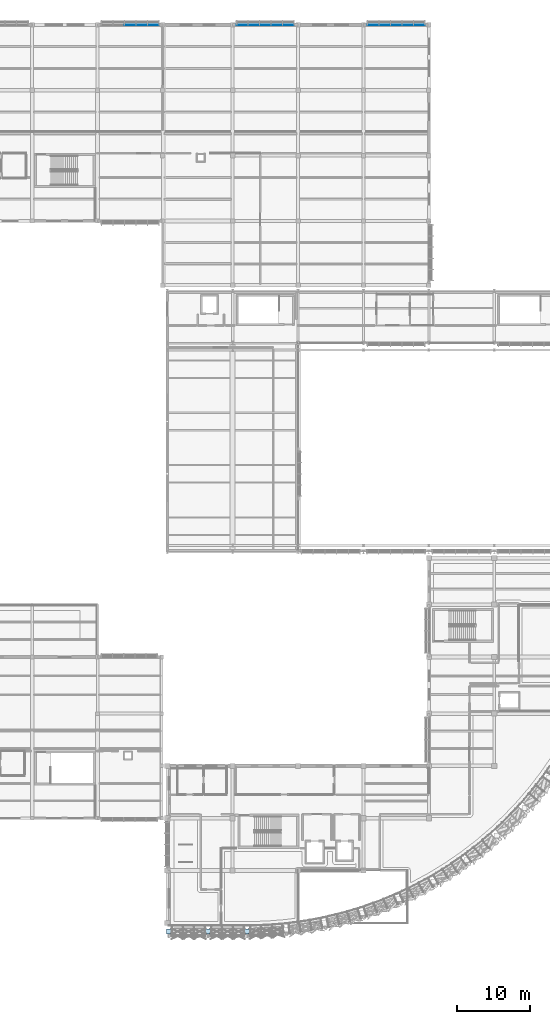
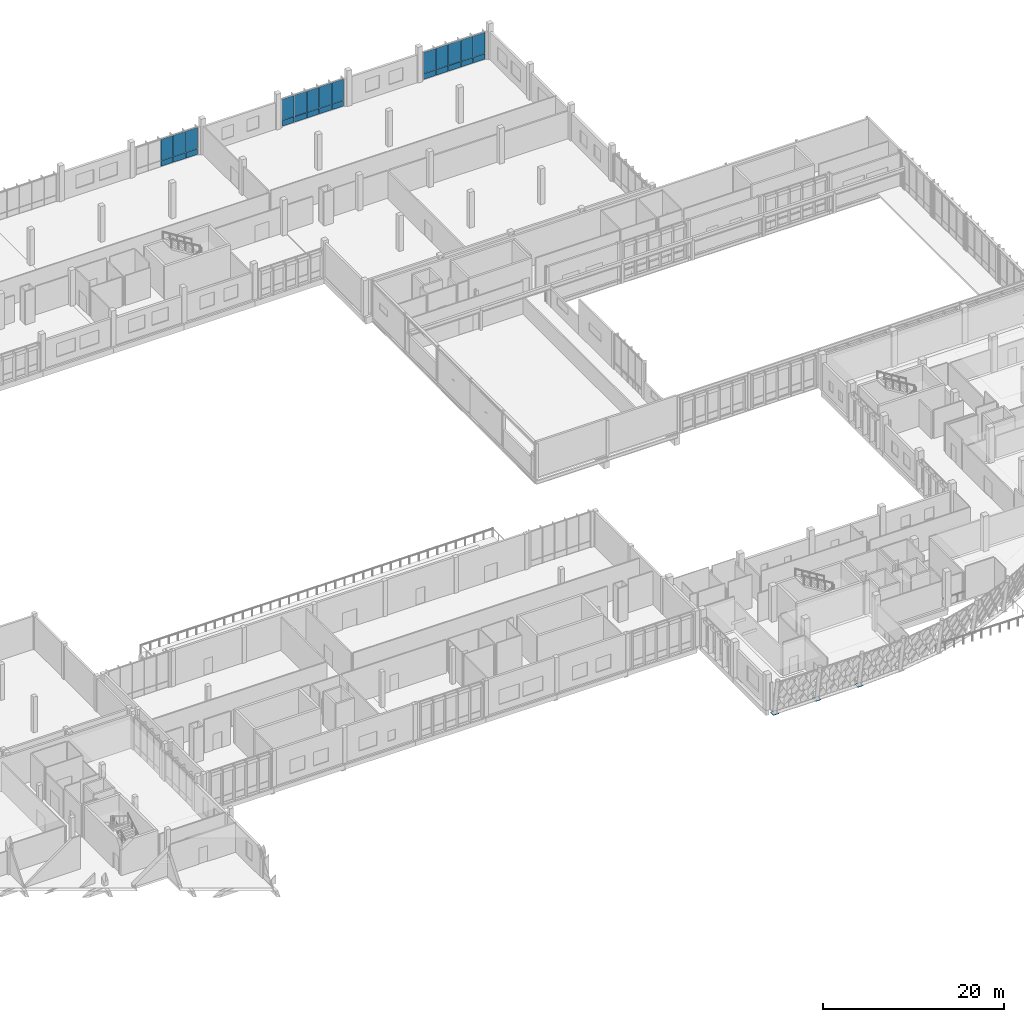
# One storey, part 144 of 177: 29 plates, 3 elements without a shape of their own.
"""IFC4 building model written with IfcOpenShell, lengths in metres."""

from ifc_helpers import new_model, si_unit, direction, frame, origin, origin_2d, place, context, subcontext, project, spatial, rectangle, extrude, material, layer, layer_set, type_object, element, aggregate, save


model = new_model("IFC4")

# Units and contexts
model_context = context("Model", 3, precision=1e-05, world=origin(), true_north=direction((0.0, 1.0)))
body_context = subcontext(model_context, "Body", "Model", "MODEL_VIEW")
ifc_project = project(units=[si_unit("LENGTHUNIT", "METRE"), si_unit("AREAUNIT", "SQUARE_METRE"), si_unit("VOLUMEUNIT", "CUBIC_METRE"), si_unit("PLANEANGLEUNIT", "RADIAN"), si_unit("MASSUNIT", "GRAM", prefix="KILO")], contexts=[model_context])

# Site, building, storey
site_placement = place(None, origin())
site = spatial("IfcSite", under=ifc_project, at=site_placement, CompositionType="ELEMENT")
building_placement = place(site_placement, origin())
building = spatial("IfcBuilding", under=site, at=building_placement, Name="Chiffa Square Polytechnic", CompositionType="ELEMENT")
storey_placement = place(building_placement, frame((0.0, 0.0, 4.800048828125)))
storey = spatial("IfcBuildingStorey", under=building, at=storey_placement, Name="L01", CompositionType="ELEMENT", Elevation=4.800048828125)

# Curtain wall, plates
ifc_material_1 = material(Name="Aluminium EN AW-6060 T66 and glulam shading", Category="wood")
curtain_wall_type_1 = type_object("IfcCurtainWallType", Name="CW-VERT-360X380", PredefinedType="USERDEFINED", material=ifc_material_1)
curtain_wall_1_placement = place(storey_placement, origin())
curtain_wall_1 = element("IfcCurtainWall", 1, at=curtain_wall_1_placement, inside=storey, type_object=curtain_wall_type_1, Name="Curtain wall CW-V5-L01-205", ObjectType="CURTAIN WALL", PredefinedType="USERDEFINED")
ifc_material_2 = material(Name="Double glazing", Category="glass")
ifc_layer_1 = layer(ifc_material_2, 0.0458984375, Name="Double glazing")
ifc_layer_set_1 = layer_set([ifc_layer_1], Name="Double glazing")
plate_type_1 = type_object("IfcPlateType", Name="CWP-GLZ-128X106", PredefinedType="CURTAIN_PANEL", material=ifc_layer_set_1)
plate_1_placement = place(storey_placement, frame((110.257080078125, 130.800048828125, 0.84033203125), z_axis=(0.0, 0.0, 1.0), x_axis=(-1.0, 0.0, 0.0)))
plate_1 = element("IfcPlate", 2, at=plate_1_placement, type_object=plate_type_1, Name="Glazed curtain panel CW-V5-L01-205-PN01", PredefinedType="CURTAIN_PANEL", context=body_context, shape_type="SweptSolid", body=[
    extrude(rectangle(XDim=1.510009765625, YDim=0.0458984375, at=origin_2d()), origin(), (0.0, 0.0, 1.0), 2.824951171875),
])
plate_2_placement = place(storey_placement, frame((108.68408203125, 130.800048828125, 0.84033203125), z_axis=(0.0, 0.0, 1.0), x_axis=(-1.0, 0.0, 0.0)))
plate_2 = element("IfcPlate", 3, at=plate_2_placement, type_object=plate_type_1, Name="Glazed curtain panel CW-V5-L01-205-PN02", PredefinedType="CURTAIN_PANEL", context=body_context, shape_type="SweptSolid", body=[
    extrude(rectangle(XDim=1.531982421875, YDim=0.0458984375, at=origin_2d()), origin(), (0.0, 0.0, 1.0), 2.824951171875),
])
plate_3_placement = place(storey_placement, frame((107.10009765625, 130.800048828125, 0.84033203125), z_axis=(0.0, 0.0, 1.0), x_axis=(-1.0, 0.0, 0.0)))
plate_3 = element("IfcPlate", 4, at=plate_3_placement, type_object=plate_type_1, Name="Glazed curtain panel CW-V5-L01-205-PN03", PredefinedType="CURTAIN_PANEL", context=body_context, shape_type="SweptSolid", body=[
    extrude(rectangle(XDim=1.531982421875, YDim=0.0458984375, at=origin_2d()), origin(), (0.0, 0.0, 1.0), 2.824951171875),
])

curtain_wall_type_2 = type_object("IfcCurtainWallType", Name="CW-VERT-600X380", PredefinedType="USERDEFINED", material=ifc_material_1)
curtain_wall_2_placement = place(storey_placement, origin())
curtain_wall_2 = element("IfcCurtainWall", 5, at=curtain_wall_2_placement, inside=storey, type_object=curtain_wall_type_2, Name="Curtain wall CW-V5-L01-204", ObjectType="CURTAIN WALL", PredefinedType="USERDEFINED")
ifc_layer_2 = layer(ifc_material_2, 0.0458984375, Name="Double glazing")
ifc_layer_set_2 = layer_set([ifc_layer_2], Name="Double glazing")
plate_type_2 = type_object("IfcPlateType", Name="CWP-GLZ-130X110", PredefinedType="CURTAIN_PANEL", material=ifc_layer_set_2)
plate_4_placement = place(storey_placement, frame((128.85693359375, 130.800048828125, 0.84033203125), z_axis=(0.0, 0.0, 1.0), x_axis=(-1.0, 0.0, 0.0)))
plate_4 = element("IfcPlate", 6, at=plate_4_placement, type_object=plate_type_2, Name="Glazed curtain panel CW-V5-L01-204-PN01", PredefinedType="CURTAIN_PANEL", context=body_context, shape_type="SweptSolid", body=[
    extrude(rectangle(XDim=1.510009765625, YDim=0.0458984375, at=origin_2d()), origin(), (0.0, 0.0, 1.0), 2.824951171875),
])
plate_5_placement = place(storey_placement, frame((127.283935546875, 130.800048828125, 0.84033203125), z_axis=(0.0, 0.0, 1.0), x_axis=(-1.0, 0.0, 0.0)))
plate_5 = element("IfcPlate", 7, at=plate_5_placement, type_object=plate_type_2, Name="Glazed curtain panel CW-V5-L01-204-PN02", PredefinedType="CURTAIN_PANEL", context=body_context, shape_type="SweptSolid", body=[
    extrude(rectangle(XDim=1.531982421875, YDim=0.0458984375, at=origin_2d()), origin(), (0.0, 0.0, 1.0), 2.824951171875),
])
plate_6_placement = place(storey_placement, frame((125.699951171875, 130.800048828125, 0.84033203125), z_axis=(0.0, 0.0, 1.0), x_axis=(-1.0, 0.0, 0.0)))
plate_6 = element("IfcPlate", 8, at=plate_6_placement, type_object=plate_type_2, Name="Glazed curtain panel CW-V5-L01-204-PN03", PredefinedType="CURTAIN_PANEL", context=body_context, shape_type="SweptSolid", body=[
    extrude(rectangle(XDim=1.531982421875, YDim=0.0458984375, at=origin_2d()), origin(), (0.0, 0.0, 1.0), 2.824951171875),
])
plate_7_placement = place(storey_placement, frame((124.115966796875, 130.800048828125, 0.84033203125), z_axis=(0.0, 0.0, 1.0), x_axis=(-1.0, 0.0, 0.0)))
plate_7 = element("IfcPlate", 9, at=plate_7_placement, type_object=plate_type_2, Name="Glazed curtain panel CW-V5-L01-204-PN04", PredefinedType="CURTAIN_PANEL", context=body_context, shape_type="SweptSolid", body=[
    extrude(rectangle(XDim=1.531982421875, YDim=0.0458984375, at=origin_2d()), origin(), (0.0, 0.0, 1.0), 2.824951171875),
])
plate_8_placement = place(storey_placement, frame((122.54296875, 130.800048828125, 0.84033203125), z_axis=(0.0, 0.0, 1.0), x_axis=(-1.0, 0.0, 0.0)))
plate_8 = element("IfcPlate", 10, at=plate_8_placement, type_object=plate_type_2, Name="Glazed curtain panel CW-V5-L01-204-PN05", PredefinedType="CURTAIN_PANEL", context=body_context, shape_type="SweptSolid", body=[
    extrude(rectangle(XDim=1.510009765625, YDim=0.0458984375, at=origin_2d()), origin(), (0.0, 0.0, 1.0), 2.824951171875),
])

curtain_wall_type_3 = type_object("IfcCurtainWallType", Name="CW-VERT-300X380", PredefinedType="USERDEFINED", material=ifc_material_1)
curtain_wall_3_placement = place(storey_placement, origin())
curtain_wall_3 = element("IfcCurtainWall", 11, at=curtain_wall_3_placement, inside=storey, type_object=curtain_wall_type_3, Name="Curtain wall CW-V5-L01-203", ObjectType="CURTAIN WALL", PredefinedType="USERDEFINED")
ifc_layer_3 = layer(ifc_material_2, 0.0439453125, Name="Double glazing")
ifc_layer_set_3 = layer_set([ifc_layer_3], Name="Double glazing")
plate_type_3 = type_object("IfcPlateType", Name="CWP-GLZ-132X114", PredefinedType="CURTAIN_PANEL", material=ifc_layer_set_3)
plate_9_placement = place(storey_placement, frame((146.85693359375, 130.800048828125, 0.84033203125), z_axis=(0.0, 0.0, 1.0), x_axis=(-1.0, 0.0, 0.0)))
plate_9 = element("IfcPlate", 12, at=plate_9_placement, type_object=plate_type_3, Name="Glazed curtain panel CW-V5-L01-203-PN01", PredefinedType="CURTAIN_PANEL", context=body_context, shape_type="SweptSolid", body=[
    extrude(rectangle(XDim=1.510009765625, YDim=0.0439453125, at=origin_2d()), origin(), (0.0, 0.0, 1.0), 2.824951171875),
])
plate_10_placement = place(storey_placement, frame((145.283935546875, 130.800048828125, 0.84033203125), z_axis=(0.0, 0.0, 1.0), x_axis=(-1.0, 0.0, 0.0)))
plate_10 = element("IfcPlate", 13, at=plate_10_placement, type_object=plate_type_3, Name="Glazed curtain panel CW-V5-L01-203-PN02", PredefinedType="CURTAIN_PANEL", context=body_context, shape_type="SweptSolid", body=[
    extrude(rectangle(XDim=1.531982421875, YDim=0.0439453125, at=origin_2d()), origin(), (0.0, 0.0, 1.0), 2.824951171875),
])
plate_11_placement = place(storey_placement, frame((143.699951171875, 130.800048828125, 0.84033203125), z_axis=(0.0, 0.0, 1.0), x_axis=(-1.0, 0.0, 0.0)))
plate_11 = element("IfcPlate", 14, at=plate_11_placement, type_object=plate_type_3, Name="Glazed curtain panel CW-V5-L01-203-PN03", PredefinedType="CURTAIN_PANEL", context=body_context, shape_type="SweptSolid", body=[
    extrude(rectangle(XDim=1.531982421875, YDim=0.0439453125, at=origin_2d()), origin(), (0.0, 0.0, 1.0), 2.824951171875),
])
plate_12_placement = place(storey_placement, frame((142.115966796875, 130.800048828125, 0.84033203125), z_axis=(0.0, 0.0, 1.0), x_axis=(-1.0, 0.0, 0.0)))
plate_12 = element("IfcPlate", 15, at=plate_12_placement, type_object=plate_type_3, Name="Glazed curtain panel CW-V5-L01-203-PN04", PredefinedType="CURTAIN_PANEL", context=body_context, shape_type="SweptSolid", body=[
    extrude(rectangle(XDim=1.531982421875, YDim=0.0439453125, at=origin_2d()), origin(), (0.0, 0.0, 1.0), 2.824951171875),
])
plate_13_placement = place(storey_placement, frame((140.54296875, 130.800048828125, 0.84033203125), z_axis=(0.0, 0.0, 1.0), x_axis=(-1.0, 0.0, 0.0)))
plate_13 = element("IfcPlate", 16, at=plate_13_placement, type_object=plate_type_3, Name="Glazed curtain panel CW-V5-L01-203-PN05", PredefinedType="CURTAIN_PANEL", context=body_context, shape_type="SweptSolid", body=[
    extrude(rectangle(XDim=1.510009765625, YDim=0.0439453125, at=origin_2d()), origin(), (0.0, 0.0, 1.0), 2.824951171875),
])

# Plate
ifc_material_3 = material(Name="Aluminium insulated spandrel", Category="aluminium")
ifc_layer_4 = layer(ifc_material_3, 0.072021484375, Name="Aluminium insulated spandrel")
ifc_layer_set_4 = layer_set([ifc_layer_4], Name="Aluminium insulated spandrel")
plate_type_4 = type_object("IfcPlateType", Name="CWP-SPN-136X072", PredefinedType="SHEET", material=ifc_layer_set_4)
plate_14_placement = place(storey_placement, frame((110.257080078125, 130.800048828125, 0.050048828125), z_axis=(0.0, 0.0, 1.0), x_axis=(-1.0, 0.0, 0.0)))
plate_14 = element("IfcPlate", 17, at=plate_14_placement, type_object=plate_type_4, Name="Spandrel panel CW-V5-L01-205-SP01", PredefinedType="SHEET", context=body_context, shape_type="SweptSolid", body=[
    extrude(rectangle(XDim=1.510009765625, YDim=0.072021484375, at=origin_2d()), origin(), (0.0, 0.0, 1.0), 0.75),
])

plate_15_placement = place(storey_placement, frame((108.68408203125, 130.800048828125, 0.050048828125), z_axis=(0.0, 0.0, 1.0), x_axis=(-1.0, 0.0, 0.0)))
plate_15 = element("IfcPlate", 18, at=plate_15_placement, type_object=plate_type_4, Name="Spandrel panel CW-V5-L01-205-SP02", PredefinedType="SHEET", context=body_context, shape_type="SweptSolid", body=[
    extrude(rectangle(XDim=1.531982421875, YDim=0.072021484375, at=origin_2d()), origin(), (0.0, 0.0, 1.0), 0.75),
])

plate_16_placement = place(storey_placement, frame((107.10009765625, 130.800048828125, 0.050048828125), z_axis=(0.0, 0.0, 1.0), x_axis=(-1.0, 0.0, 0.0)))
plate_16 = element("IfcPlate", 19, at=plate_16_placement, type_object=plate_type_4, Name="Spandrel panel CW-V5-L01-205-SP03", PredefinedType="SHEET", context=body_context, shape_type="SweptSolid", body=[
    extrude(rectangle(XDim=1.531982421875, YDim=0.072021484375, at=origin_2d()), origin(), (0.0, 0.0, 1.0), 0.75),
])

aggregate(curtain_wall_1, [plate_14, plate_1, plate_15, plate_2, plate_16, plate_3])

ifc_layer_5 = layer(ifc_material_3, 0.070068359375, Name="Aluminium insulated spandrel")
ifc_layer_set_5 = layer_set([ifc_layer_5], Name="Aluminium insulated spandrel")
plate_type_5 = type_object("IfcPlateType", Name="CWP-SPN-138X074", PredefinedType="SHEET", material=ifc_layer_set_5)
plate_17_placement = place(storey_placement, frame((128.85693359375, 130.800048828125, 0.050048828125), z_axis=(0.0, 0.0, 1.0), x_axis=(-1.0, 0.0, 0.0)))
plate_17 = element("IfcPlate", 20, at=plate_17_placement, type_object=plate_type_5, Name="Spandrel panel CW-V5-L01-204-SP01", PredefinedType="SHEET", context=body_context, shape_type="SweptSolid", body=[
    extrude(rectangle(XDim=1.510009765625, YDim=0.070068359375, at=origin_2d()), origin(), (0.0, 0.0, 1.0), 0.75),
])

plate_18_placement = place(storey_placement, frame((127.283935546875, 130.800048828125, 0.050048828125), z_axis=(0.0, 0.0, 1.0), x_axis=(-1.0, 0.0, 0.0)))
plate_18 = element("IfcPlate", 21, at=plate_18_placement, type_object=plate_type_5, Name="Spandrel panel CW-V5-L01-204-SP02", PredefinedType="SHEET", context=body_context, shape_type="SweptSolid", body=[
    extrude(rectangle(XDim=1.531982421875, YDim=0.070068359375, at=origin_2d()), origin(), (0.0, 0.0, 1.0), 0.75),
])

plate_19_placement = place(storey_placement, frame((125.699951171875, 130.800048828125, 0.050048828125), z_axis=(0.0, 0.0, 1.0), x_axis=(-1.0, 0.0, 0.0)))
plate_19 = element("IfcPlate", 22, at=plate_19_placement, type_object=plate_type_5, Name="Spandrel panel CW-V5-L01-204-SP03", PredefinedType="SHEET", context=body_context, shape_type="SweptSolid", body=[
    extrude(rectangle(XDim=1.531982421875, YDim=0.070068359375, at=origin_2d()), origin(), (0.0, 0.0, 1.0), 0.75),
])

plate_20_placement = place(storey_placement, frame((124.115966796875, 130.800048828125, 0.050048828125), z_axis=(0.0, 0.0, 1.0), x_axis=(-1.0, 0.0, 0.0)))
plate_20 = element("IfcPlate", 23, at=plate_20_placement, type_object=plate_type_5, Name="Spandrel panel CW-V5-L01-204-SP04", PredefinedType="SHEET", context=body_context, shape_type="SweptSolid", body=[
    extrude(rectangle(XDim=1.531982421875, YDim=0.070068359375, at=origin_2d()), origin(), (0.0, 0.0, 1.0), 0.75),
])

plate_21_placement = place(storey_placement, frame((122.54296875, 130.800048828125, 0.050048828125), z_axis=(0.0, 0.0, 1.0), x_axis=(-1.0, 0.0, 0.0)))
plate_21 = element("IfcPlate", 24, at=plate_21_placement, type_object=plate_type_5, Name="Spandrel panel CW-V5-L01-204-SP05", PredefinedType="SHEET", context=body_context, shape_type="SweptSolid", body=[
    extrude(rectangle(XDim=1.510009765625, YDim=0.070068359375, at=origin_2d()), origin(), (0.0, 0.0, 1.0), 0.75),
])

aggregate(curtain_wall_2, [plate_17, plate_4, plate_18, plate_5, plate_19, plate_6, plate_20, plate_7, plate_21, plate_8])

ifc_layer_6 = layer(ifc_material_3, 0.068115234375, Name="Aluminium insulated spandrel")
ifc_layer_set_6 = layer_set([ifc_layer_6], Name="Aluminium insulated spandrel")
plate_type_6 = type_object("IfcPlateType", Name="CWP-SPN-140X076", PredefinedType="SHEET", material=ifc_layer_set_6)
plate_22_placement = place(storey_placement, frame((146.85693359375, 130.800048828125, 0.050048828125), z_axis=(0.0, 0.0, 1.0), x_axis=(-1.0, 0.0, 0.0)))
plate_22 = element("IfcPlate", 25, at=plate_22_placement, type_object=plate_type_6, Name="Spandrel panel CW-V5-L01-203-SP01", PredefinedType="SHEET", context=body_context, shape_type="SweptSolid", body=[
    extrude(rectangle(XDim=1.510009765625, YDim=0.068115234375, at=origin_2d()), origin(), (0.0, 0.0, 1.0), 0.75),
])

plate_23_placement = place(storey_placement, frame((145.283935546875, 130.800048828125, 0.050048828125), z_axis=(0.0, 0.0, 1.0), x_axis=(-1.0, 0.0, 0.0)))
plate_23 = element("IfcPlate", 26, at=plate_23_placement, type_object=plate_type_6, Name="Spandrel panel CW-V5-L01-203-SP02", PredefinedType="SHEET", context=body_context, shape_type="SweptSolid", body=[
    extrude(rectangle(XDim=1.531982421875, YDim=0.068115234375, at=origin_2d()), origin(), (0.0, 0.0, 1.0), 0.75),
])

plate_24_placement = place(storey_placement, frame((143.699951171875, 130.800048828125, 0.050048828125), z_axis=(0.0, 0.0, 1.0), x_axis=(-1.0, 0.0, 0.0)))
plate_24 = element("IfcPlate", 27, at=plate_24_placement, type_object=plate_type_6, Name="Spandrel panel CW-V5-L01-203-SP03", PredefinedType="SHEET", context=body_context, shape_type="SweptSolid", body=[
    extrude(rectangle(XDim=1.531982421875, YDim=0.068115234375, at=origin_2d()), origin(), (0.0, 0.0, 1.0), 0.75),
])

plate_25_placement = place(storey_placement, frame((142.115966796875, 130.800048828125, 0.050048828125), z_axis=(0.0, 0.0, 1.0), x_axis=(-1.0, 0.0, 0.0)))
plate_25 = element("IfcPlate", 28, at=plate_25_placement, type_object=plate_type_6, Name="Spandrel panel CW-V5-L01-203-SP04", PredefinedType="SHEET", context=body_context, shape_type="SweptSolid", body=[
    extrude(rectangle(XDim=1.531982421875, YDim=0.068115234375, at=origin_2d()), origin(), (0.0, 0.0, 1.0), 0.75),
])

plate_26_placement = place(storey_placement, frame((140.54296875, 130.800048828125, 0.050048828125), z_axis=(0.0, 0.0, 1.0), x_axis=(-1.0, 0.0, 0.0)))
plate_26 = element("IfcPlate", 29, at=plate_26_placement, type_object=plate_type_6, Name="Spandrel panel CW-V5-L01-203-SP05", PredefinedType="SHEET", context=body_context, shape_type="SweptSolid", body=[
    extrude(rectangle(XDim=1.510009765625, YDim=0.068115234375, at=origin_2d()), origin(), (0.0, 0.0, 1.0), 0.75),
])

aggregate(curtain_wall_3, [plate_22, plate_9, plate_23, plate_10, plate_24, plate_11, plate_25, plate_12, plate_26, plate_13])

# Plates
ifc_material_4 = material(Name="Steel S355", Category="steel")
ifc_layer_7 = layer(ifc_material_4, 0.050048828125, Name="Steel S355")
ifc_layer_set_7 = layer_set([ifc_layer_7], Name="Steel S355")
plate_type_7 = type_object("IfcPlateType", Name="PLT-GUSSET-50", PredefinedType="USERDEFINED", material=ifc_layer_set_7)
for number, where, z_axis, x_axis, name in (
    (30, (112.449951171875, 6.029052734375, -0.02490234375), (0.0, 0.0, 1.0), (1.0, 0.0, 0.0), "Steel connection gusset plate GP-L01-002"),
    (31, (117.824951171875, 6.029052734375, -0.02490234375), (0.0, 0.0, 1.0), (1.0, 0.0, 0.0), "Steel connection gusset plate GP-L01-004"),
    (32, (123.199951171875, 6.029052734375, -0.02490234375), (0.0, 0.0, 1.0), (1.0, 0.0, 0.0), "Steel connection gusset plate GP-L01-007"),
):
    element("IfcPlate", number, at=place(storey_placement, frame(where, z_axis=z_axis, x_axis=x_axis)), inside=storey, type_object=plate_type_7, Name=name, ObjectType="GUSSET PLATE", PredefinedType="USERDEFINED", context=body_context, shape_type="SweptSolid", body=[
        extrude(rectangle(XDim=0.699951171875, YDim=0.699951171875, at=origin_2d()), origin(), (0.0, 0.0, 1.0), 0.050048828125),
    ])

save(model, "model.ifc")
